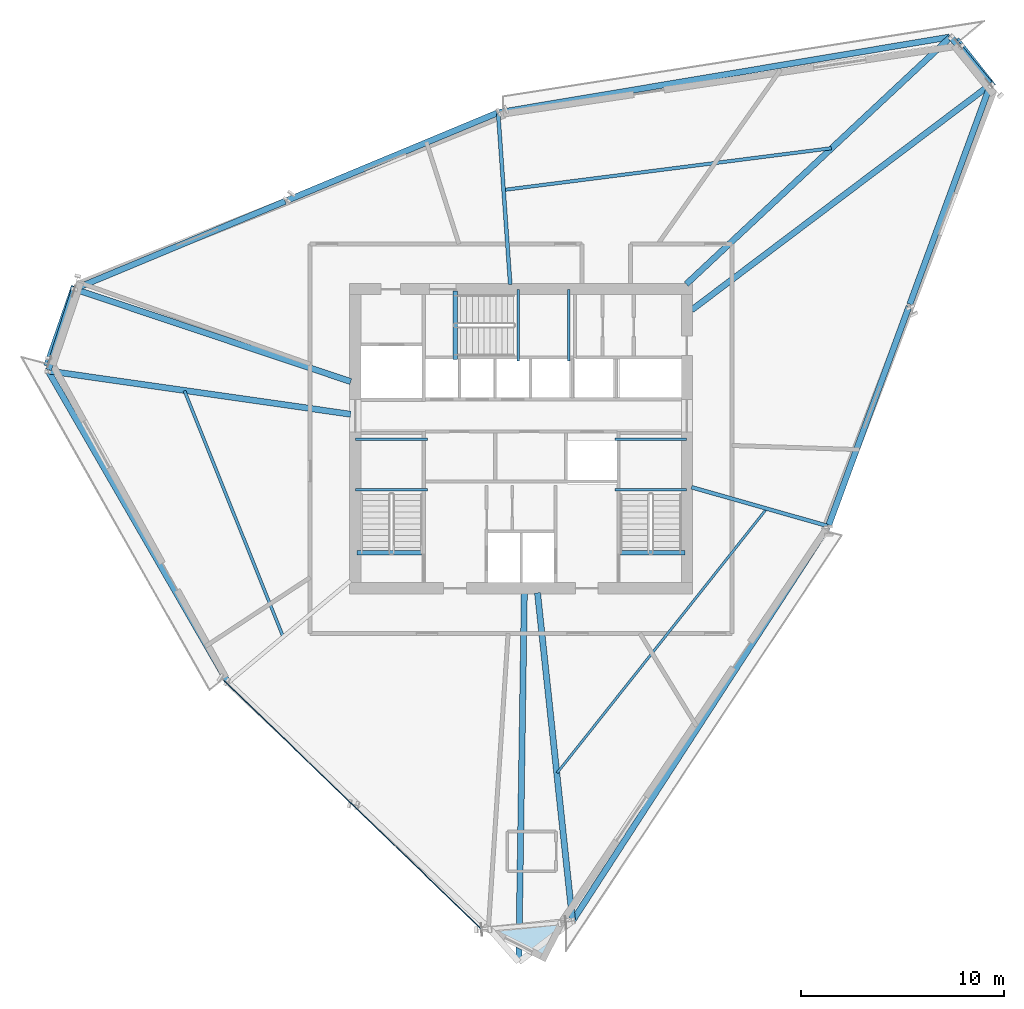
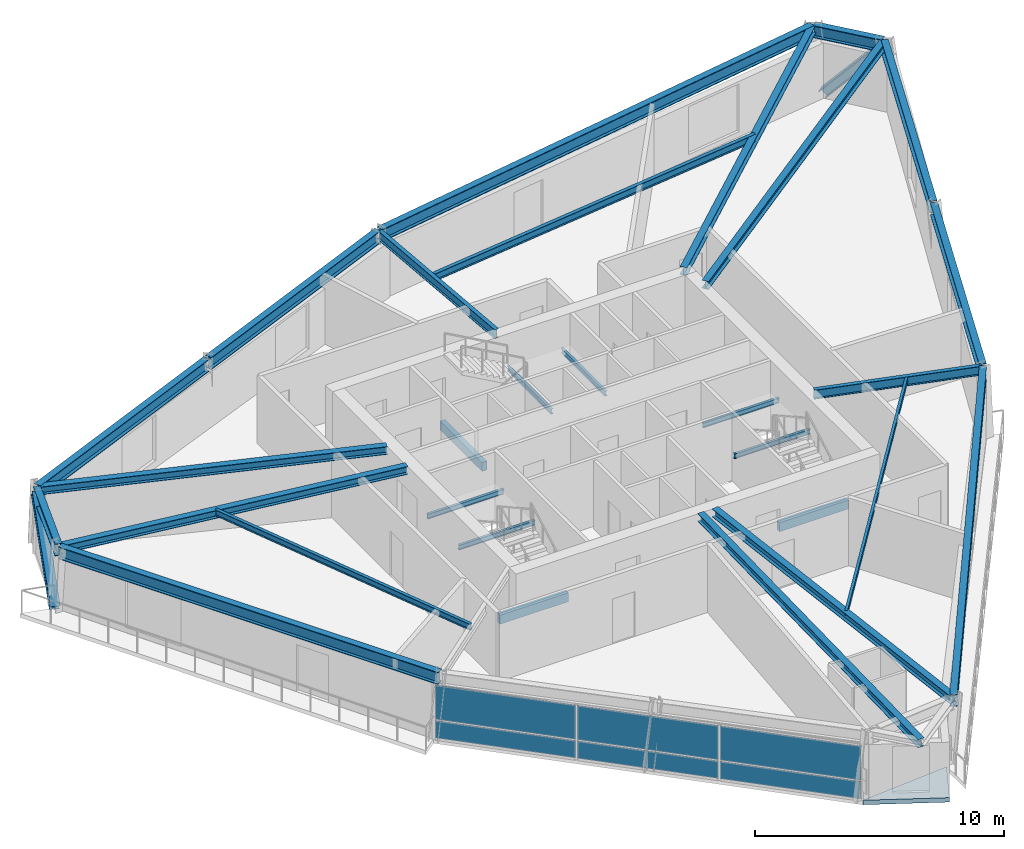
# One storey, part 4 of 13: 29 beams, 6 plates, 2 members, 1 slab, 1 element without a shape of its own.
"""IFC4 building model written with IfcOpenShell, lengths in metres."""

from ifc_helpers import new_model, si_unit, direction, frame, origin, origin_2d, place, context, subcontext, project, spatial, polyline, rectangle, i_section, outline, extrude, source, transform, mapped, material, layer, layer_set, material_profile, profile_set, type_object, element, aggregate, save


model = new_model("IFC4")

# Units and contexts
model_context = context("Model", 3, precision=1e-05, world=origin(), true_north=direction((0.0, 1.0)))
body_context = subcontext(model_context, "Body", "Model", "MODEL_VIEW")
ifc_project = project(units=[si_unit("LENGTHUNIT", "METRE"), si_unit("AREAUNIT", "SQUARE_METRE"), si_unit("VOLUMEUNIT", "CUBIC_METRE"), si_unit("PLANEANGLEUNIT", "RADIAN"), si_unit("MASSUNIT", "GRAM", prefix="KILO")], contexts=[model_context])

# Site, building, storey
site_placement = place(None, origin())
site = spatial("IfcSite", under=ifc_project, at=site_placement, CompositionType="ELEMENT")
building_placement = place(site_placement, origin())
building = spatial("IfcBuilding", under=site, at=building_placement, Name="Olszyna Solenne Hotel", CompositionType="ELEMENT")
storey_placement = place(building_placement, frame((0.0, 0.0, 192.75)))
storey = spatial("IfcBuildingStorey", under=building, at=storey_placement, Name="L51", CompositionType="ELEMENT", Elevation=192.75)

# Beams
ifc_material_1 = material(Name="Steel S355J2", Category="steel")
ifc_material_profile_1 = material_profile(ifc_material_1, i_section(OverallWidth=0.300048828125, OverallDepth=0.60009765625, WebThickness=0.015380859375, FlangeThickness=0.030029296875, at=origin_2d()), Name="HEB 600", Category="load-bearing")
ifc_profile_set_1 = profile_set([ifc_material_profile_1], Name="Steel S355J2")
beam_type_1 = type_object("IfcBeamType", Name="BM-S2", PredefinedType="BEAM", material=ifc_profile_set_1)
shared_shape_1 = source(origin(), body_context, "Body", "SweptSolid", [
    extrude(i_section(OverallWidth=0.300048828125, OverallDepth=0.60009765625, WebThickness=0.015380859375, FlangeThickness=0.030029296875, at=origin_2d()), origin(), (0.0, 0.0, 1.0), 2.941162109375),
])
beam_1_placement = place(storey_placement, frame((61.10400390625, 44.1025390625, 3.030029296875), z_axis=(-0.63943291307, 0.768846896126, 0.0), x_axis=(-0.768846896126, -0.63943291307, 0.0)))
element("IfcBeam", 1, at=beam_1_placement, inside=storey, type_object=beam_type_1, Name="Perimeter spandrel beam BM-S2 B-L51-1512", PredefinedType="BEAM", context=body_context, shape_type="MappedRepresentation", body=[
    mapped(shared_shape_1, transform((0.0, 0.0, 0.0), x_axis=(1.0, 0.0, 0.0), y_axis=(0.0, 1.0, 0.0), z_axis=(0.0, 0.0, 1.0), scale=1.0)),
])
shared_shape_2 = source(origin(), body_context, "Body", "SweptSolid", [
    extrude(i_section(OverallWidth=0.300048828125, OverallDepth=0.60009765625, WebThickness=0.015380859375, FlangeThickness=0.030029296875, at=origin_2d()), origin(), (0.0, 0.0, 1.0), 22.5068359375),
])
beam_2_placement = place(storey_placement, frame((59.1259765625, 46.39990234375, 3.030029296875), z_axis=(-0.986277287063, -0.165097283516, 0.0), x_axis=(0.165097283516, -0.986277287063, 0.0)))
element("IfcBeam", 2, at=beam_2_placement, inside=storey, type_object=beam_type_1, Name="Perimeter spandrel beam BM-S2 B-L51-1513", PredefinedType="BEAM", context=body_context, shape_type="MappedRepresentation", body=[
    mapped(shared_shape_2, transform((0.0, 0.0, 0.0), x_axis=(1.0, 0.0, 0.0), y_axis=(0.0, 1.0, 0.0), z_axis=(0.0, 0.0, 1.0), scale=1.0)),
])
shared_shape_3 = source(origin(), body_context, "Body", "SweptSolid", [
    extrude(i_section(OverallWidth=0.300048828125, OverallDepth=0.60009765625, WebThickness=0.015380859375, FlangeThickness=0.030029296875, at=origin_2d()), origin(), (0.0, 0.0, 1.0), 11.193115234375),
])
beam_3_placement = place(storey_placement, frame((36.813232421875, 42.65087890625, 3.030029296875), z_axis=(-0.923191746983, -0.384339691291, 0.0), x_axis=(0.384339691291, -0.923191746983, 0.0)))
element("IfcBeam", 3, at=beam_3_placement, inside=storey, type_object=beam_type_1, Name="Perimeter spandrel beam BM-S2 B-L51-1514", PredefinedType="BEAM", context=body_context, shape_type="MappedRepresentation", body=[
    mapped(shared_shape_3, transform((0.0, 0.0, 0.0), x_axis=(1.0, 0.0, 0.0), y_axis=(0.0, 1.0, 0.0), z_axis=(0.0, 0.0, 1.0), scale=1.0)),
])
shared_shape_4 = source(origin(), body_context, "Body", "SweptSolid", [
    extrude(i_section(OverallWidth=0.300048828125, OverallDepth=0.60009765625, WebThickness=0.015380859375, FlangeThickness=0.030029296875, at=origin_2d()), origin(), (0.0, 0.0, 1.0), 11.193359375),
])
beam_4_placement = place(storey_placement, frame((26.368896484375, 38.302490234375, 3.030029296875), z_axis=(-0.923184007737, -0.384358280592, 0.0), x_axis=(0.384358280592, -0.923184007737, 0.0)))
element("IfcBeam", 4, at=beam_4_placement, inside=storey, type_object=beam_type_1, Name="Perimeter spandrel beam BM-S2 B-L51-1515", PredefinedType="BEAM", context=body_context, shape_type="MappedRepresentation", body=[
    mapped(shared_shape_4, transform((0.0, 0.0, 0.0), x_axis=(1.0, 0.0, 0.0), y_axis=(0.0, 1.0, 0.0), z_axis=(0.0, 0.0, 1.0), scale=1.0)),
])
shared_shape_5 = source(origin(), body_context, "Body", "SweptSolid", [
    extrude(i_section(OverallWidth=0.300048828125, OverallDepth=0.60009765625, WebThickness=0.015380859375, FlangeThickness=0.030029296875, at=origin_2d()), origin(), (0.0, 0.0, 1.0), 4.122314453125),
])
beam_5_placement = place(storey_placement, frame((15.961669921875, 33.920166015625, 3.030029296875), z_axis=(-0.305654500504, -0.952142492656, 0.0), x_axis=(0.952142492656, -0.305654500504, 0.0)))
element("IfcBeam", 5, at=beam_5_placement, inside=storey, type_object=beam_type_1, Name="Perimeter spandrel beam BM-S2 B-L51-1516", PredefinedType="BEAM", context=body_context, shape_type="MappedRepresentation", body=[
    mapped(shared_shape_5, transform((0.0, 0.0, 0.0), x_axis=(1.0, 0.0, 0.0), y_axis=(0.0, 1.0, 0.0), z_axis=(0.0, 0.0, 1.0), scale=1.0)),
])
shared_shape_6 = source(origin(), body_context, "Body", "SweptSolid", [
    extrude(i_section(OverallWidth=0.300048828125, OverallDepth=0.60009765625, WebThickness=0.015380859375, FlangeThickness=0.030029296875, at=origin_2d()), origin(), (0.0, 0.0, 1.0), 17.626708984375),
])
beam_6_placement = place(storey_placement, frame((14.71337890625, 29.885986328125, 3.030029296875), z_axis=(0.499812779441, -0.866133468645, 0.0), x_axis=(0.866133468645, 0.499812779441, 0.0)))
element("IfcBeam", 6, at=beam_6_placement, inside=storey, type_object=beam_type_1, Name="Perimeter spandrel beam BM-S2 B-L51-1517", PredefinedType="BEAM", context=body_context, shape_type="MappedRepresentation", body=[
    mapped(shared_shape_6, transform((0.0, 0.0, 0.0), x_axis=(1.0, 0.0, 0.0), y_axis=(0.0, 1.0, 0.0), z_axis=(0.0, 0.0, 1.0), scale=1.0)),
])
shared_shape_7 = source(origin(), body_context, "Body", "SweptSolid", [
    extrude(i_section(OverallWidth=0.300048828125, OverallDepth=0.60009765625, WebThickness=0.015380859375, FlangeThickness=0.030029296875, at=origin_2d()), origin(), (0.0, 0.0, 1.0), 23.0732421875),
])
beam_7_placement = place(storey_placement, frame((40.569580078125, 2.869873046875, 3.030029296875), z_axis=(0.543774576953, 0.83923132059, 0.0), x_axis=(-0.83923132059, 0.543774576953, 0.0)))
element("IfcBeam", 7, at=beam_7_placement, inside=storey, type_object=beam_type_1, Name="Perimeter spandrel beam BM-S2 B-L51-1521", PredefinedType="BEAM", context=body_context, shape_type="MappedRepresentation", body=[
    mapped(shared_shape_7, transform((0.0, 0.0, 0.0), x_axis=(1.0, 0.0, 0.0), y_axis=(0.0, 1.0, 0.0), z_axis=(0.0, 0.0, 1.0), scale=1.0)),
])
shared_shape_8 = source(origin(), body_context, "Body", "SweptSolid", [
    extrude(i_section(OverallWidth=0.300048828125, OverallDepth=0.60009765625, WebThickness=0.015380859375, FlangeThickness=0.030029296875, at=origin_2d()), origin(), (0.0, 0.0, 1.0), 11.476806640625),
])
beam_8_placement = place(storey_placement, frame((53.16943359375, 22.34033203125, 3.030029296875), z_axis=(0.344655272143, 0.938729323812, 0.0), x_axis=(-0.938729323812, 0.344655272143, 0.0)))
element("IfcBeam", 8, at=beam_8_placement, inside=storey, type_object=beam_type_1, Name="Perimeter spandrel beam BM-S2 B-L51-1522", PredefinedType="BEAM", context=body_context, shape_type="MappedRepresentation", body=[
    mapped(shared_shape_8, transform((0.0, 0.0, 0.0), x_axis=(1.0, 0.0, 0.0), y_axis=(0.0, 1.0, 0.0), z_axis=(0.0, 0.0, 1.0), scale=1.0)),
])
shared_shape_9 = source(origin(), body_context, "Body", "SweptSolid", [
    extrude(i_section(OverallWidth=0.300048828125, OverallDepth=0.60009765625, WebThickness=0.015380859375, FlangeThickness=0.030029296875, at=origin_2d()), origin(), (0.0, 0.0, 1.0), 11.4765625),
])
beam_9_placement = place(storey_placement, frame((57.166259765625, 33.2265625, 3.030029296875), z_axis=(0.344643408717, 0.938733679394, 0.0), x_axis=(-0.938733679394, 0.344643408717, 0.0)))
element("IfcBeam", 9, at=beam_9_placement, inside=storey, type_object=beam_type_1, Name="Perimeter spandrel beam BM-S2 B-L51-1523", PredefinedType="BEAM", context=body_context, shape_type="MappedRepresentation", body=[
    mapped(shared_shape_9, transform((0.0, 0.0, 0.0), x_axis=(1.0, 0.0, 0.0), y_axis=(0.0, 1.0, 0.0), z_axis=(0.0, 0.0, 1.0), scale=1.0)),
])
ifc_material_profile_2 = material_profile(ifc_material_1, i_section(OverallWidth=0.300048828125, OverallDepth=0.389892578125, WebThickness=0.010986328125, FlangeThickness=0.01904296875, at=origin_2d()), Name="HEA 400", Category="load-bearing")
ifc_profile_set_2 = profile_set([ifc_material_profile_2], Name="Steel S355J2")
beam_type_2 = type_object("IfcBeamType", Name="BM-G2", PredefinedType="BEAM", material=ifc_profile_set_2)
shared_shape_10 = source(origin(), body_context, "Body", "SweptSolid", [
    extrude(i_section(OverallWidth=0.300048828125, OverallDepth=0.389892578125, WebThickness=0.010986328125, FlangeThickness=0.01904296875, at=origin_2d()), origin(), (0.0, 0.0, 1.0), 18.393310546875),
])
beam_10_placement = place(storey_placement, frame((61.094482421875, 44.020263671875, 3.135009765625), z_axis=(-0.798348437999, -0.602195791703, 0.0), x_axis=(0.602195791703, -0.798348437999, 0.0)))
element("IfcBeam", 10, at=beam_10_placement, inside=storey, type_object=beam_type_2, Name="Radial floor girder BM-G2 B-L51-1524", PredefinedType="BEAM", context=body_context, shape_type="MappedRepresentation", body=[
    mapped(shared_shape_10, transform((0.0, 0.0, 0.0), x_axis=(1.0, 0.0, 0.0), y_axis=(0.0, 1.0, 0.0), z_axis=(0.0, 0.0, 1.0), scale=1.0)),
])
shared_shape_11 = source(origin(), body_context, "Body", "SweptSolid", [
    extrude(i_section(OverallWidth=0.300048828125, OverallDepth=0.389892578125, WebThickness=0.010986328125, FlangeThickness=0.01904296875, at=origin_2d()), origin(), (0.0, 0.0, 1.0), 17.793701171875),
])
beam_11_placement = place(storey_placement, frame((59.141357421875, 46.368896484375, 3.135009765625), z_axis=(-0.730418455705, -0.682999911835, 0.0), x_axis=(0.682999911835, -0.730418455705, 0.0)))
element("IfcBeam", 11, at=beam_11_placement, inside=storey, type_object=beam_type_2, Name="Radial floor girder BM-G2 B-L51-1525", PredefinedType="BEAM", context=body_context, shape_type="MappedRepresentation", body=[
    mapped(shared_shape_11, transform((0.0, 0.0, 0.0), x_axis=(1.0, 0.0, 0.0), y_axis=(0.0, 1.0, 0.0), z_axis=(0.0, 0.0, 1.0), scale=1.0)),
])
ifc_material_profile_3 = material_profile(ifc_material_1, i_section(OverallWidth=0.18994140625, OverallDepth=0.449951171875, WebThickness=0.009521484375, FlangeThickness=0.0146484375, at=origin_2d()), Name="IPE 450", Category="load-bearing")
ifc_profile_set_3 = profile_set([ifc_material_profile_3], Name="Steel S355J2")
beam_type_3 = type_object("IfcBeamType", Name="BM-F4", PredefinedType="BEAM", material=ifc_profile_set_3)
shared_shape_12 = source(origin(), body_context, "Body", "SweptSolid", [
    extrude(i_section(OverallWidth=0.18994140625, OverallDepth=0.449951171875, WebThickness=0.009521484375, FlangeThickness=0.0146484375, at=origin_2d()), origin(), (0.0, 0.0, 1.0), 8.434814453125),
])
beam_12_placement = place(storey_placement, frame((36.872802734375, 42.6142578125, 3.10498046875), z_axis=(0.070218539319, -0.997531631948, 0.0), x_axis=(0.997531631948, 0.070218539319, 0.0)))
element("IfcBeam", 12, at=beam_12_placement, inside=storey, type_object=beam_type_3, Name="Radial floor girder BM-F4 B-L51-1526", PredefinedType="BEAM", context=body_context, shape_type="MappedRepresentation", body=[
    mapped(shared_shape_12, transform((0.0, 0.0, 0.0), x_axis=(1.0, 0.0, 0.0), y_axis=(0.0, 1.0, 0.0), z_axis=(0.0, 0.0, 1.0), scale=1.0)),
])
shared_shape_13 = source(origin(), body_context, "Body", "SweptSolid", [
    extrude(i_section(OverallWidth=0.300048828125, OverallDepth=0.389892578125, WebThickness=0.010986328125, FlangeThickness=0.01904296875, at=origin_2d()), origin(), (0.0, 0.0, 1.0), 14.30126953125),
])
beam_13_placement = place(storey_placement, frame((16.036865234375, 33.9580078125, 3.135009765625), z_axis=(0.948204219931, -0.317661387809, 0.0), x_axis=(0.317661387809, 0.948204219931, 0.0)))
element("IfcBeam", 13, at=beam_13_placement, inside=storey, type_object=beam_type_2, Name="Radial floor girder BM-G2 B-L51-1527", PredefinedType="BEAM", context=body_context, shape_type="MappedRepresentation", body=[
    mapped(shared_shape_13, transform((0.0, 0.0, 0.0), x_axis=(1.0, 0.0, 0.0), y_axis=(0.0, 1.0, 0.0), z_axis=(0.0, 0.0, 1.0), scale=1.0)),
])
shared_shape_14 = source(origin(), body_context, "Body", "SweptSolid", [
    extrude(i_section(OverallWidth=0.300048828125, OverallDepth=0.389892578125, WebThickness=0.010986328125, FlangeThickness=0.01904296875, at=origin_2d()), origin(), (0.0, 0.0, 1.0), 15.00830078125),
])
beam_14_placement = place(storey_placement, frame((14.74267578125, 29.929443359375, 3.135009765625), z_axis=(0.989907155399, -0.141717407859, 0.0), x_axis=(0.141717407859, 0.989907155399, 0.0)))
element("IfcBeam", 14, at=beam_14_placement, inside=storey, type_object=beam_type_2, Name="Radial floor girder BM-G2 B-L51-1528", PredefinedType="BEAM", context=body_context, shape_type="MappedRepresentation", body=[
    mapped(shared_shape_14, transform((0.0, 0.0, 0.0), x_axis=(1.0, 0.0, 0.0), y_axis=(0.0, 1.0, 0.0), z_axis=(0.0, 0.0, 1.0), scale=1.0)),
])
shared_shape_15 = source(origin(), body_context, "Body", "SweptSolid", [
    extrude(i_section(OverallWidth=0.300048828125, OverallDepth=0.389892578125, WebThickness=0.010986328125, FlangeThickness=0.01904296875, at=origin_2d()), origin(), (0.0, 0.0, 1.0), 18.18212890625),
])
beam_15_placement = place(storey_placement, frame((37.885009765625, 0.820068359375, 3.135009765625), z_axis=(0.015119469439, 0.999885694289, 0.0), x_axis=(-0.999885694289, 0.015119469439, 0.0)))
element("IfcBeam", 15, at=beam_15_placement, inside=storey, type_object=beam_type_2, Name="Radial floor girder BM-G2 B-L51-1530", PredefinedType="BEAM", context=body_context, shape_type="MappedRepresentation", body=[
    mapped(shared_shape_15, transform((0.0, 0.0, 0.0), x_axis=(1.0, 0.0, 0.0), y_axis=(0.0, 1.0, 0.0), z_axis=(0.0, 0.0, 1.0), scale=1.0)),
])
shared_shape_16 = source(origin(), body_context, "Body", "SweptSolid", [
    extrude(i_section(OverallWidth=0.300048828125, OverallDepth=0.389892578125, WebThickness=0.010986328125, FlangeThickness=0.01904296875, at=origin_2d()), origin(), (0.0, 0.0, 1.0), 16.212158203125),
])
beam_16_placement = place(storey_placement, frame((40.53076171875, 2.879150390625, 3.135009765625), z_axis=(-0.1060917829, 0.994356341359, 0.0), x_axis=(-0.994356341359, -0.1060917829, 0.0)))
element("IfcBeam", 16, at=beam_16_placement, inside=storey, type_object=beam_type_2, Name="Radial floor girder BM-G2 B-L51-1531", PredefinedType="BEAM", context=body_context, shape_type="MappedRepresentation", body=[
    mapped(shared_shape_16, transform((0.0, 0.0, 0.0), x_axis=(1.0, 0.0, 0.0), y_axis=(0.0, 1.0, 0.0), z_axis=(0.0, 0.0, 1.0), scale=1.0)),
])
shared_shape_17 = source(origin(), body_context, "Body", "SweptSolid", [
    extrude(i_section(OverallWidth=0.18994140625, OverallDepth=0.449951171875, WebThickness=0.009521484375, FlangeThickness=0.0146484375, at=origin_2d()), origin(), (0.0, 0.0, 1.0), 6.955322265625),
])
beam_17_placement = place(storey_placement, frame((53.091064453125, 22.300537109375, 3.10498046875), z_axis=(-0.961730307533, 0.273997838629, 0.0), x_axis=(-0.273997838629, -0.961730307533, 0.0)))
element("IfcBeam", 17, at=beam_17_placement, inside=storey, type_object=beam_type_3, Name="Radial floor girder BM-F4 B-L51-1532", PredefinedType="BEAM", context=body_context, shape_type="MappedRepresentation", body=[
    mapped(shared_shape_17, transform((0.0, 0.0, 0.0), x_axis=(1.0, 0.0, 0.0), y_axis=(0.0, 1.0, 0.0), z_axis=(0.0, 0.0, 1.0), scale=1.0)),
])
ifc_material_profile_4 = material_profile(ifc_material_1, i_section(OverallWidth=0.169921875, OverallDepth=0.360107421875, WebThickness=0.008056640625, FlangeThickness=0.0126953125, at=origin_2d()), Name="IPE 360", Category="load-bearing")
ifc_profile_set_4 = profile_set([ifc_material_profile_4], Name="Steel S355J2")
beam_type_4 = type_object("IfcBeamType", Name="JS-01", PredefinedType="JOIST", material=ifc_profile_set_4)
shared_shape_18 = source(origin(), body_context, "Body", "SweptSolid", [
    extrude(i_section(OverallWidth=0.169921875, OverallDepth=0.360107421875, WebThickness=0.008056640625, FlangeThickness=0.0126953125, at=origin_2d()), origin(), (0.0, 0.0, 1.0), 16.270751953125),
])
beam_18_placement = place(storey_placement, frame((53.297119140625, 40.919921875, 3.14990234375), z_axis=(-0.991979107902, -0.126401936242, 0.0), x_axis=(0.126401936242, -0.991979107902, 0.0)))
element("IfcBeam", 18, at=beam_18_placement, inside=storey, type_object=beam_type_4, Name="Secondary composite floor joist JS-01 B-L51-1535", PredefinedType="JOIST", context=body_context, shape_type="MappedRepresentation", body=[
    mapped(shared_shape_18, transform((0.0, 0.0, 0.0), x_axis=(1.0, 0.0, 0.0), y_axis=(0.0, 1.0, 0.0), z_axis=(0.0, 0.0, 1.0), scale=1.0)),
])
ifc_material_profile_5 = material_profile(ifc_material_1, i_section(OverallWidth=0.14990234375, OverallDepth=0.300048828125, WebThickness=0.007080078125, FlangeThickness=0.0107421875, at=origin_2d()), Name="IPE 300", Category="load-bearing")
ifc_profile_set_5 = profile_set([ifc_material_profile_5], Name="Steel S355J2")
beam_type_5 = type_object("IfcBeamType", Name="JS-02", PredefinedType="JOIST", material=ifc_profile_set_5)
shared_shape_19 = source(origin(), body_context, "Body", "SweptSolid", [
    extrude(i_section(OverallWidth=0.14990234375, OverallDepth=0.300048828125, WebThickness=0.007080078125, FlangeThickness=0.0107421875, at=origin_2d()), origin(), (0.0, 0.0, 1.0), 13.049072265625),
])
beam_19_placement = place(storey_placement, frame((21.403076171875, 28.95849609375, 3.179931640625), z_axis=(0.372335630855, -0.928098151057, 0.0), x_axis=(0.928098151057, 0.372335630855, 0.0)))
element("IfcBeam", 19, at=beam_19_placement, inside=storey, type_object=beam_type_5, Name="Secondary composite floor joist JS-02 B-L51-1536", PredefinedType="JOIST", context=body_context, shape_type="MappedRepresentation", body=[
    mapped(shared_shape_19, transform((0.0, 0.0, 0.0), x_axis=(1.0, 0.0, 0.0), y_axis=(0.0, 1.0, 0.0), z_axis=(0.0, 0.0, 1.0), scale=1.0)),
])
ifc_material_profile_6 = material_profile(ifc_material_1, i_section(OverallWidth=0.1201171875, OverallDepth=0.239990234375, WebThickness=0.006103515625, FlangeThickness=0.009765625, at=origin_2d()), Name="IPE 240", Category="load-bearing")
ifc_profile_set_6 = profile_set([ifc_material_profile_6], Name="Steel S355J2")
beam_type_6 = type_object("IfcBeamType", Name="JS-03", PredefinedType="JOIST", material=ifc_profile_set_6)
shared_shape_20 = source(origin(), body_context, "Body", "SweptSolid", [
    extrude(i_section(OverallWidth=0.1201171875, OverallDepth=0.239990234375, WebThickness=0.006103515625, FlangeThickness=0.009765625, at=origin_2d()), origin(), (0.0, 0.0, 1.0), 16.6162109375),
])
beam_20_placement = place(storey_placement, frame((39.772705078125, 10.1162109375, 3.2099609375), z_axis=(0.621523774748, 0.783395300868, 0.0), x_axis=(-0.783395300868, 0.621523774748, 0.0)))
element("IfcBeam", 20, at=beam_20_placement, inside=storey, type_object=beam_type_6, Name="Secondary composite floor joist JS-03 B-L51-1537", PredefinedType="JOIST", context=body_context, shape_type="MappedRepresentation", body=[
    mapped(shared_shape_20, transform((0.0, 0.0, 0.0), x_axis=(1.0, 0.0, 0.0), y_axis=(0.0, 1.0, 0.0), z_axis=(0.0, 0.0, 1.0), scale=1.0)),
])

# Members
ifc_material_2 = material(Name="Steel S460M", Category="steel")
ifc_material_profile_7 = material_profile(ifc_material_2, i_section(OverallWidth=0.406005859375, OverallDepth=0.416015625, WebThickness=0.026611328125, FlangeThickness=0.04150390625, at=origin_2d()), Name="HD 400x382", Category="load-bearing")
ifc_profile_set_7 = profile_set([ifc_material_profile_7], Name="Steel S460M")
member_type = type_object("IfcMemberType", Name="BR-T2", PredefinedType="BRACE", material=ifc_profile_set_7)
shared_shape_21 = source(origin(), body_context, "Body", "SweptSolid", [
    extrude(i_section(OverallWidth=0.406005859375, OverallDepth=0.416015625, WebThickness=0.026611328125, FlangeThickness=0.04150390625, at=origin_2d()), origin(), (0.0, 0.0, 1.0), 3.979248046875),
])
member_1_placement = place(storey_placement, frame((59.515869140625, 46.11767578125, 0.010009765625), z_axis=(0.40873819321, -0.518009091155, 0.75139847677), x_axis=(0.78504220428, 0.619442279393, 0.0)))
element("IfcMember", 21, at=member_1_placement, inside=storey, type_object=member_type, Name="Perimeter braced-tube diagonal BR-T2 BR-L51-1", PredefinedType="BRACE", context=body_context, shape_type="MappedRepresentation", body=[
    mapped(shared_shape_21, transform((0.0, 0.0, 0.0), x_axis=(1.0, 0.0, 0.0), y_axis=(0.0, 1.0, 0.0), z_axis=(0.0, 0.0, 1.0), scale=1.0)),
])
shared_shape_22 = source(origin(), body_context, "Body", "SweptSolid", [
    extrude(i_section(OverallWidth=0.406005859375, OverallDepth=0.416015625, WebThickness=0.026611328125, FlangeThickness=0.04150390625, at=origin_2d()), origin(), (0.0, 0.0, 1.0), 4.921630859375),
])
member_2_placement = place(storey_placement, frame((14.6982421875, 30.2841796875, 0.010009765625), z_axis=(0.260432033821, 0.750391500116, 0.607525927277), x_axis=(-0.944720690189, 0.327876222879, 0.0)))
element("IfcMember", 22, at=member_2_placement, inside=storey, type_object=member_type, Name="Perimeter braced-tube diagonal BR-T2 BR-L51-2", PredefinedType="BRACE", context=body_context, shape_type="MappedRepresentation", body=[
    mapped(shared_shape_22, transform((0.0, 0.0, 0.0), x_axis=(1.0, 0.0, 0.0), y_axis=(0.0, 1.0, 0.0), z_axis=(0.0, 0.0, 1.0), scale=1.0)),
])

# Beams
shared_shape_23 = source(origin(), body_context, "Body", "SweptSolid", [
    extrude(i_section(OverallWidth=0.1201171875, OverallDepth=0.239990234375, WebThickness=0.006103515625, FlangeThickness=0.009765625, at=origin_2d()), origin(), (0.0, 0.0, 1.0), 3.539794921875),
])
for number, where, z_axis, x_axis, name in (
    (23, (33.3798828125, 24.070068359375, 1.449951171875), (-1.0, 0.0, 0.0), (0.0, -1.0, 0.0), "Stair landing support beam JS-03 SLB-ST1-0107"),
    (24, (33.3798828125, 26.580078125, 1.449951171875), (-1.0, 0.0, 0.0), (0.0, -1.0, 0.0), "Stair landing support beam JS-03 SLB-ST1-0108"),
    (25, (46.159912109375, 24.070068359375, 1.449951171875), (-1.0, 0.0, 0.0), (0.0, -1.0, 0.0), "Stair landing support beam JS-03 SLB-ST2-0347"),
    (26, (46.159912109375, 26.580078125, 1.449951171875), (-1.0, 0.0, 0.0), (0.0, -1.0, 0.0), "Stair landing support beam JS-03 SLB-ST2-0348"),
):
    element("IfcBeam", number, at=place(storey_placement, frame(where, z_axis=z_axis, x_axis=x_axis)), inside=storey, type_object=beam_type_6, Name=name, PredefinedType="JOIST", context=body_context, shape_type="MappedRepresentation", body=[
        mapped(shared_shape_23, transform((0.0, 0.0, 0.0), x_axis=(1.0, 0.0, 0.0), y_axis=(0.0, 1.0, 0.0), z_axis=(0.0, 0.0, 1.0), scale=1.0)),
    ])
ifc_material_3 = material(Name="Concrete C50/60", Category="concrete")
ifc_material_profile_8 = material_profile(ifc_material_3, rectangle(XDim=0.219970703125, YDim=0.43994140625, at=origin_2d()), Name="RC 220x440", Category="load-bearing")
ifc_profile_set_8 = profile_set([ifc_material_profile_8], Name="Concrete C50/60")
beam_type_7 = type_object("IfcBeamType", Name="BM-ST1", PredefinedType="BEAM", material=ifc_profile_set_8)
shared_shape_24 = source(origin(), body_context, "Body", "SweptSolid", [
    extrude(rectangle(XDim=0.219970703125, YDim=0.43994140625, at=origin_2d()), origin(), (0.0, 0.0, 1.0), 3.18017578125),
])
for number, where, z_axis, x_axis, name in (
    (27, (33.10009765625, 20.97998046875, -0.205078125), (-1.0, 0.0, 0.0), (0.0, -1.0, 0.0), "Concrete stair trimmer beam BM-ST1 SHB-ST1-0213"),
    (28, (46.080078125, 20.97998046875, -0.205078125), (-1.0, 0.0, 0.0), (0.0, -1.0, 0.0), "Concrete stair trimmer beam BM-ST1 SHB-ST2-0453"),
):
    element("IfcBeam", number, at=place(storey_placement, frame(where, z_axis=z_axis, x_axis=x_axis)), inside=storey, type_object=beam_type_7, Name=name, PredefinedType="BEAM", context=body_context, shape_type="MappedRepresentation", body=[
        mapped(shared_shape_24, transform((0.0, 0.0, 0.0), x_axis=(1.0, 0.0, 0.0), y_axis=(0.0, 1.0, 0.0), z_axis=(0.0, 0.0, 1.0), scale=1.0)),
    ])
shared_shape_25 = source(origin(), body_context, "Body", "SweptSolid", [
    extrude(i_section(OverallWidth=0.1201171875, OverallDepth=0.239990234375, WebThickness=0.006103515625, FlangeThickness=0.009765625, at=origin_2d()), origin(), (0.0, 0.0, 1.0), 3.5400390625),
])
for number, where, z_axis, x_axis, name in (
    (29, (37.85009765625, 30.419921875, 1.449951171875), (0.0, 1.0, 0.0), (-1.0, 0.0, 0.0), "Stair landing support beam JS-03 SLB-ST3-0587"),
    (30, (40.360107421875, 30.419921875, 1.449951171875), (0.0, 1.0, 0.0), (-1.0, 0.0, 0.0), "Stair landing support beam JS-03 SLB-ST3-0588"),
):
    element("IfcBeam", number, at=place(storey_placement, frame(where, z_axis=z_axis, x_axis=x_axis)), inside=storey, type_object=beam_type_6, Name=name, PredefinedType="JOIST", context=body_context, shape_type="MappedRepresentation", body=[
        mapped(shared_shape_25, transform((0.0, 0.0, 0.0), x_axis=(1.0, 0.0, 0.0), y_axis=(0.0, 1.0, 0.0), z_axis=(0.0, 0.0, 1.0), scale=1.0)),
    ])
shared_shape_26 = source(origin(), body_context, "Body", "SweptSolid", [
    extrude(rectangle(XDim=0.219970703125, YDim=0.43994140625, at=origin_2d()), origin(), (0.0, 0.0, 1.0), 3.3798828125),
])
beam_21_placement = place(storey_placement, frame((34.760009765625, 30.5, -0.205078125), z_axis=(0.0, 1.0, 0.0), x_axis=(-1.0, 0.0, 0.0)))
element("IfcBeam", 31, at=beam_21_placement, inside=storey, type_object=beam_type_7, Name="Concrete stair trimmer beam BM-ST1 SHB-ST3-0691", PredefinedType="BEAM", context=body_context, shape_type="MappedRepresentation", body=[
    mapped(shared_shape_26, transform((0.0, 0.0, 0.0), x_axis=(1.0, 0.0, 0.0), y_axis=(0.0, 1.0, 0.0), z_axis=(0.0, 0.0, 1.0), scale=1.0)),
])

# Slab
ifc_layer = layer(ifc_material_3, 0.219970703125, Name="Concrete C50/60")
ifc_layer_set = layer_set([ifc_layer], Name="Concrete C50/60")
slab_type = type_object("IfcSlabType", Name="SL-TW225", PredefinedType="FLOOR", material=ifc_layer_set)
slab_placement = place(storey_placement, frame((0.0, 0.0, -0.219970703125)))
element("IfcSlab", 32, at=slab_placement, inside=storey, type_object=slab_type, Name="Faceted glass-prism floor slab SL-L51-PR", PredefinedType="FLOOR", context=body_context, shape_type="SweptSolid", body=[
    extrude(outline(polyline([(40.180908203125, 2.740478515625), (36.081298828125, 2.3818359375), (39.19287109375, 0.800048828125), (40.180908203125, 2.740478515625)])), origin(), (0.0, 0.0, 1.0), 0.219970703125),
])

# Curtain wall, plates
ifc_material_4 = material(Name="Anodised bronze aluminium", Category="aluminium")
curtain_wall_type = type_object("IfcCurtainWallType", Name="CW-SYS-4", PredefinedType="NOTDEFINED", material=ifc_material_4)
curtain_wall_placement = place(storey_placement, origin())
curtain_wall = element("IfcCurtainWall", 33, at=curtain_wall_placement, inside=storey, type_object=curtain_wall_type, Name="Unitised curtain wall CW-SYS-4 CW-L51-01", PredefinedType="NOTDEFINED")
ifc_material_5 = material(Name="Terracotta cladding", Category="masonry")
plate_type_1 = type_object("IfcPlateType", Name="PN-SP1", PredefinedType="CURTAIN_PANEL", material=ifc_material_5)
shared_shape_27 = source(origin(), body_context, "Body", "SweptSolid", [
    extrude(rectangle(XDim=5.823974609375, YDim=0.035888671875, at=origin_2d()), origin(), (0.0, 0.0, 1.0), 0.8525390625),
])
plate_1_placement = place(storey_placement, frame((25.4326171875, 12.66796875, 0.06494140625), z_axis=(0.0, 0.0, 1.0), x_axis=(0.718987157073, -0.695023357855, 0.0)))
plate_1 = element("IfcPlate", 34, at=plate_1_placement, type_object=plate_type_1, Name="Curtain-wall panel PN-SP1 CP-L51-01-01", PredefinedType="CURTAIN_PANEL", context=body_context, shape_type="MappedRepresentation", body=[
    mapped(shared_shape_27, transform((0.0, 0.0, 0.0), x_axis=(1.0, 0.0, 0.0), y_axis=(0.0, 1.0, 0.0), z_axis=(0.0, 0.0, 1.0), scale=1.0)),
])
plate_2_placement = place(storey_placement, frame((33.924072265625, 4.45947265625, 0.06494140625), z_axis=(0.0, 0.0, 1.0), x_axis=(0.718987157073, -0.695023357855, 0.0)))
plate_2 = element("IfcPlate", 35, at=plate_2_placement, type_object=plate_type_1, Name="Curtain-wall panel PN-SP1 CP-L51-01-05", PredefinedType="CURTAIN_PANEL", context=body_context, shape_type="MappedRepresentation", body=[
    mapped(shared_shape_27, transform((0.0, 0.0, 0.0), x_axis=(1.0, 0.0, 0.0), y_axis=(0.0, 1.0, 0.0), z_axis=(0.0, 0.0, 1.0), scale=1.0)),
])
ifc_material_6 = material(Name="Low-E triple glazing", Category="glass")
plate_type_2 = type_object("IfcPlateType", Name="PN-GL1", PredefinedType="CURTAIN_PANEL", material=ifc_material_6)
shared_shape_28 = source(origin(), body_context, "Body", "SweptSolid", [
    extrude(rectangle(XDim=5.823974609375, YDim=0.035888671875, at=origin_2d()), origin(), (0.0, 0.0, 1.0), 1.674560546875),
])
plate_3_placement = place(storey_placement, frame((25.4326171875, 12.66796875, 0.982421875), z_axis=(0.0, 0.0, 1.0), x_axis=(0.718987157073, -0.695023357855, 0.0)))
plate_3 = element("IfcPlate", 36, at=plate_3_placement, type_object=plate_type_2, Name="Curtain-wall panel PN-GL1 CP-L51-01-02", PredefinedType="CURTAIN_PANEL", context=body_context, shape_type="MappedRepresentation", body=[
    mapped(shared_shape_28, transform((0.0, 0.0, 0.0), x_axis=(1.0, 0.0, 0.0), y_axis=(0.0, 1.0, 0.0), z_axis=(0.0, 0.0, 1.0), scale=1.0)),
])
plate_4_placement = place(storey_placement, frame((33.924072265625, 4.45947265625, 0.982421875), z_axis=(0.0, 0.0, 1.0), x_axis=(0.718987157073, -0.695023357855, 0.0)))
plate_4 = element("IfcPlate", 37, at=plate_4_placement, type_object=plate_type_2, Name="Curtain-wall panel PN-GL1 CP-L51-01-06", PredefinedType="CURTAIN_PANEL", context=body_context, shape_type="MappedRepresentation", body=[
    mapped(shared_shape_28, transform((0.0, 0.0, 0.0), x_axis=(1.0, 0.0, 0.0), y_axis=(0.0, 1.0, 0.0), z_axis=(0.0, 0.0, 1.0), scale=1.0)),
])
shared_shape_29 = source(origin(), body_context, "Body", "SweptSolid", [
    extrude(rectangle(XDim=5.8564453125, YDim=0.035888671875, at=origin_2d()), origin(), (0.0, 0.0, 1.0), 0.8525390625),
])
plate_5_placement = place(storey_placement, frame((29.67822265625, 8.563720703125, 0.06494140625), z_axis=(0.0, 0.0, 1.0), x_axis=(0.718987157073, -0.695023357855, 0.0)))
plate_5 = element("IfcPlate", 38, at=plate_5_placement, type_object=plate_type_1, Name="Curtain-wall panel PN-SP1 CP-L51-01-03", PredefinedType="CURTAIN_PANEL", context=body_context, shape_type="MappedRepresentation", body=[
    mapped(shared_shape_29, transform((0.0, 0.0, 0.0), x_axis=(1.0, 0.0, 0.0), y_axis=(0.0, 1.0, 0.0), z_axis=(0.0, 0.0, 1.0), scale=1.0)),
])
shared_shape_30 = source(origin(), body_context, "Body", "SweptSolid", [
    extrude(rectangle(XDim=5.8564453125, YDim=0.035888671875, at=origin_2d()), origin(), (0.0, 0.0, 1.0), 1.674560546875),
])
plate_6_placement = place(storey_placement, frame((29.67822265625, 8.563720703125, 0.982421875), z_axis=(0.0, 0.0, 1.0), x_axis=(0.718987157073, -0.695023357855, 0.0)))
plate_6 = element("IfcPlate", 39, at=plate_6_placement, type_object=plate_type_2, Name="Curtain-wall panel PN-GL1 CP-L51-01-04", PredefinedType="CURTAIN_PANEL", context=body_context, shape_type="MappedRepresentation", body=[
    mapped(shared_shape_30, transform((0.0, 0.0, 0.0), x_axis=(1.0, 0.0, 0.0), y_axis=(0.0, 1.0, 0.0), z_axis=(0.0, 0.0, 1.0), scale=1.0)),
])
aggregate(curtain_wall, [plate_1, plate_3, plate_5, plate_6, plate_2, plate_4])

save(model, "model.ifc")
